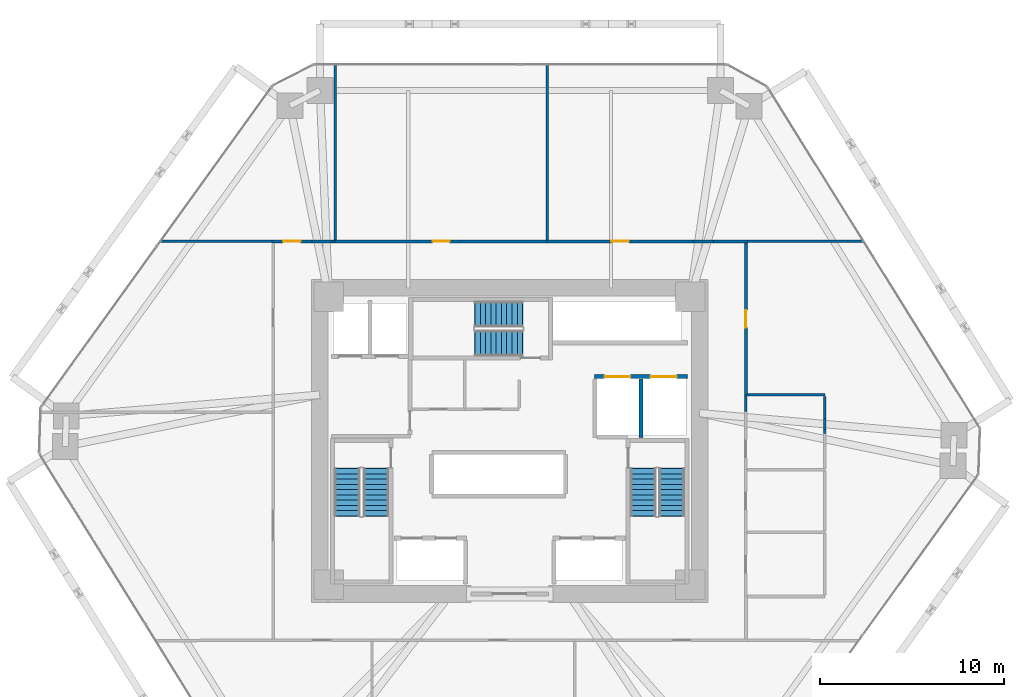
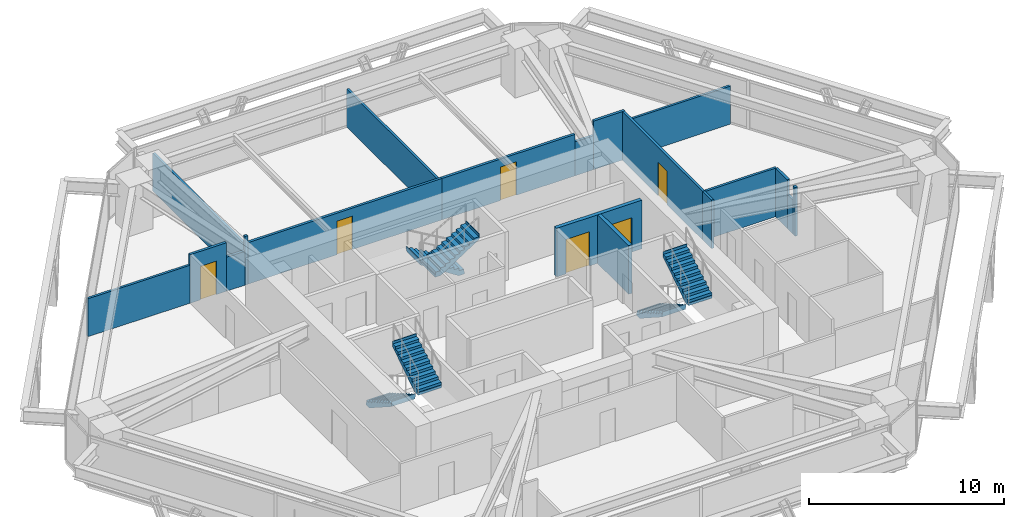
# One storey, part 13 of 14: 19 walls, 6 doors, 6 stair flights, 6 openings, 3 elements without a shape of their own.
"""IFC4 building model written with IfcOpenShell, lengths in metres."""

import ifcopenshell
import ifcopenshell.guid

model = None  # the IFC model being written
_history = None  # IfcOwnerHistory: only IFC2X3 demands one
_inside = {}  # id of a spatial element -> (the spatial element, [elements in it])
_under = {}  # id of a project, library or spatial element -> (it, [spatial elements below it])
_declared = {}  # id of a project -> (the project, [libraries it declares])
_typed = {}  # id of a type object -> (the type object, [elements of that type])
_made_of = {}  # id of a material, layer set ... -> (it, [elements and type objects made of it])


def new_model(schema):
    """Start an empty IFC model of exactly this schema.

    Asked for "IFC4X3", IfcOpenShell would pick the latest addendum, in which some entities
    have other attributes; the version numbers below select the first issue.
    IFC2X3 requires an IfcOwnerHistory on every rooted entity: one is made here for all.
    """
    global model, _history
    if schema == "IFC4X3":
        model = ifcopenshell.file(schema_version=(4, 3, 0, 0))
    else:
        model = ifcopenshell.file(schema=schema)
    _inside.clear()
    _under.clear()
    _declared.clear()
    _typed.clear()
    _made_of.clear()
    _history = None
    if model.schema == "IFC2X3":
        org = make("IfcOrganization", Name="unknown")
        user = make(
            "IfcPersonAndOrganization",
            ThePerson=make("IfcPerson", FamilyName="unknown"),
            TheOrganization=org,
        )
        app = make(
            "IfcApplication",
            ApplicationDeveloper=org,
            Version="unknown",
            ApplicationFullName="unknown",
            ApplicationIdentifier="unknown",
        )
        _history = make(
            "IfcOwnerHistory",
            OwningUser=user,
            OwningApplication=app,
            ChangeAction="ADDED",
            CreationDate=0,
        )
    return model


def make(cls, **values):
    """One entity of the class cls with the attributes given. An attribute that is None is left unset."""
    return model.create_entity(
        cls, **{name: value for name, value in values.items() if value is not None}
    )


def rooted(cls, **values):
    """An entity with a GlobalId (a new one), such as an element, a storey or a relation."""
    return make(cls, GlobalId=ifcopenshell.guid.new(), OwnerHistory=_history, **values)


def si_unit(unit_type, name, prefix=None):
    """IfcSIUnit, for example si_unit("LENGTHUNIT", "METRE", prefix="MILLI")."""
    return make("IfcSIUnit", UnitType=unit_type, Prefix=prefix, Name=name)


def assignment(units):
    """IfcUnitAssignment: the units of a project."""
    return None if units is None else make("IfcUnitAssignment", Units=units)


def point(xyz):
    """IfcCartesianPoint."""
    return None if xyz is None else make("IfcCartesianPoint", Coordinates=xyz)


def direction(xyz):
    """IfcDirection."""
    return None if xyz is None else make("IfcDirection", DirectionRatios=xyz)


def frame(location, z_axis=None, x_axis=None):
    """IfcAxis2Placement3D, a coordinate frame: its origin and axes. An axis left out is left unset."""
    return make(
        "IfcAxis2Placement3D",
        Location=point(location),
        Axis=direction(z_axis),
        RefDirection=direction(x_axis),
    )


def frame_2d(location, x_axis=None):
    """IfcAxis2Placement2D, a coordinate frame in the plane: its origin and x axis."""
    return make(
        "IfcAxis2Placement2D", Location=point(location), RefDirection=direction(x_axis)
    )


def origin():
    """The frame at (0, 0, 0) with its axes left unset."""
    return frame((0.0, 0.0, 0.0))


def place(relative_to, where):
    """IfcLocalPlacement: puts the frame where relative to a parent placement (None: the world)."""
    return make(
        "IfcLocalPlacement", PlacementRelTo=relative_to, RelativePlacement=where
    )


def context(
    kind, dimensions, precision=None, world=None, true_north=None, identifier=None
):
    """IfcGeometricRepresentationContext, for example the 3D "Model" context."""
    return make(
        "IfcGeometricRepresentationContext",
        ContextIdentifier=identifier,
        ContextType=kind,
        CoordinateSpaceDimension=dimensions,
        Precision=precision,
        WorldCoordinateSystem=world,
        TrueNorth=true_north,
    )


def subcontext(parent, identifier, kind, view, scale=None):
    """IfcGeometricRepresentationSubContext, for example "Body" below "Model"."""
    return make(
        "IfcGeometricRepresentationSubContext",
        ContextIdentifier=identifier,
        ContextType=kind,
        ParentContext=parent,
        TargetScale=scale,
        TargetView=view,
    )


def project(units=None, contexts=None):
    """IfcProject with its units and contexts."""
    return rooted(
        "IfcProject",
        Name="project",
        RepresentationContexts=contexts,
        UnitsInContext=assignment(units),
    )


def spatial(cls, under=None, at=None, **own):
    """A site, building, storey or space (cls), placed at a placement, below another one or the project."""
    s = rooted(cls, ObjectPlacement=at, **own)
    if under is not None:
        _under.setdefault(under.id(), (under, []))[1].append(s)
    return s


def polyline(points):
    """IfcPolyline through the points."""
    return make("IfcPolyline", Points=[point(p) for p in points])


def profile(cls, at=None, kind="AREA", **sizes):
    """A parametric profile (cls). Its sizes go by their IFC names, for example OverallWidth=200.0."""
    return make(cls, ProfileType=kind, Position=at, **sizes)


def rectangle(**sizes):
    """IfcRectangleProfileDef."""
    return profile("IfcRectangleProfileDef", **sizes)


def outline(outer, holes=None, kind="AREA"):
    """IfcArbitraryClosedProfileDef: a profile drawn as a closed curve; with holes, ...WithVoids."""
    if holes is None:
        return make("IfcArbitraryClosedProfileDef", ProfileType=kind, OuterCurve=outer)
    return make(
        "IfcArbitraryProfileDefWithVoids",
        ProfileType=kind,
        OuterCurve=outer,
        InnerCurves=holes,
    )


def extrude(swept, where, along, depth):
    """IfcExtrudedAreaSolid: the profile swept, set in the frame where, extruded along a direction by depth."""
    return make(
        "IfcExtrudedAreaSolid",
        SweptArea=swept,
        Position=where,
        ExtrudedDirection=direction(along),
        Depth=depth,
    )


def shape(context_of_items, identifier, shape_type, items):
    """IfcShapeRepresentation: the items that make up one representation, for example the "Body"."""
    return make(
        "IfcShapeRepresentation",
        ContextOfItems=context_of_items,
        RepresentationIdentifier=identifier,
        RepresentationType=shape_type,
        Items=items,
    )


def source(mapping_origin, context_of_items, identifier, shape_type, items):
    """IfcRepresentationMap: a shape defined once, which mapped items show again and again."""
    return make(
        "IfcRepresentationMap",
        MappingOrigin=mapping_origin,
        MappedRepresentation=shape(context_of_items, identifier, shape_type, items),
    )


def transform(
    local_origin,
    x_axis=None,
    y_axis=None,
    z_axis=None,
    scale=None,
    scale2=None,
    scale3=None,
    uniform=True,
):
    """IfcCartesianTransformationOperator3D, or its non-uniform kind. x_axis, y_axis, z_axis: its Axis1, 2, 3."""
    if uniform:
        return make(
            "IfcCartesianTransformationOperator3D",
            Axis1=direction(x_axis),
            Axis2=direction(y_axis),
            LocalOrigin=point(local_origin),
            Scale=scale,
            Axis3=direction(z_axis),
        )
    return make(
        "IfcCartesianTransformationOperator3DnonUniform",
        Axis1=direction(x_axis),
        Axis2=direction(y_axis),
        LocalOrigin=point(local_origin),
        Scale=scale,
        Axis3=direction(z_axis),
        Scale2=scale2,
        Scale3=scale3,
    )


def mapped(mapping_source, mapping_target):
    """IfcMappedItem: shows the shape of a source again, moved by a transform."""
    return make(
        "IfcMappedItem", MappingSource=mapping_source, MappingTarget=mapping_target
    )


def material(Name=None, Category=None):
    """IfcMaterial."""
    return make("IfcMaterial", Name=Name, Category=Category)


def layer(
    of_material, thickness, ventilated=None, Name=None, Category=None, Priority=None
):
    """IfcMaterialLayer: one layer of a wall or slab, of a material (None: an air gap)."""
    return make(
        "IfcMaterialLayer",
        Material=of_material,
        LayerThickness=thickness,
        IsVentilated=ventilated,
        Name=Name,
        Category=Category,
        Priority=Priority,
    )


def layer_set(layers, Name=None):
    """IfcMaterialLayerSet."""
    return make("IfcMaterialLayerSet", MaterialLayers=layers, LayerSetName=Name)


def made_of(thing, what):
    """Note that an element or type object is made of a material, layer set ...; save() writes the relation."""
    if what is not None:
        _made_of.setdefault(what.id(), (what, []))[1].append(thing)
    return thing


def type_object(cls, material=None, **own):
    """A type object (cls), such as IfcWallType, which elements share."""
    return made_of(rooted(cls, **own), material)


def type_shapes(of_type, sources):
    """Give a type object the sources (RepresentationMaps) that its elements show as mapped items."""
    of_type.RepresentationMaps = sources


def element(
    cls,
    number,
    at=None,
    inside=None,
    cuts=None,
    type_object=None,
    material=None,
    context=None,
    identifier="Body",
    shape_type=None,
    held_by="IfcProductDefinitionShape",
    body=None,
    shapes=None,
    **own,
):
    """One element of the class cls, such as IfcWall. Its Tag is "e" and its number.

    at: its placement. inside: the storey or other place that contains it. cuts: it is an
    opening in that element (IfcRelVoidsElement). A single representation is given by context,
    identifier, shape_type and body (its items); several are given by shapes. held_by: the class
    of the entity that holds the representations. save() writes the other relations.
    """
    e = rooted(cls, Tag="e%d" % number, ObjectPlacement=at, **own)
    if body is not None:
        shapes = [shape(context, identifier, shape_type, body)]
    if shapes is not None:
        e.Representation = make(held_by, Representations=shapes)
    if inside is not None:
        _inside.setdefault(inside.id(), (inside, []))[1].append(e)
    if cuts is not None:
        rooted(
            "IfcRelVoidsElement", RelatingBuildingElement=cuts, RelatedOpeningElement=e
        )
    if type_object is not None:
        _typed.setdefault(type_object.id(), (type_object, []))[1].append(e)
    return made_of(e, material)


def fill(opening, filler):
    """IfcRelFillsElement: the door or window that sits in an opening."""
    return rooted(
        "IfcRelFillsElement",
        RelatingOpeningElement=opening,
        RelatedBuildingElement=filler,
    )


def aggregate(whole, parts):
    """IfcRelAggregates: a whole, such as a stair, and the parts it consists of."""
    return rooted("IfcRelAggregates", RelatingObject=whole, RelatedObjects=parts)


def save(model, path):
    """Write the relations noted so far, then the file.

    IfcRelAggregates (storeys below a building ...), IfcRelContainedInSpatialStructure (elements
    in a storey), IfcRelDefinesByType, IfcRelAssociatesMaterial and IfcRelDeclares: one each for
    every whole, place, type object, material and project.
    """
    for whole, parts in _under.values():
        aggregate(whole, parts)
    for where, things in _inside.values():
        rooted(
            "IfcRelContainedInSpatialStructure",
            RelatedElements=things,
            RelatingStructure=where,
        )
    for kind, things in _typed.values():
        rooted("IfcRelDefinesByType", RelatedObjects=things, RelatingType=kind)
    for what, things in _made_of.values():
        rooted("IfcRelAssociatesMaterial", RelatedObjects=things, RelatingMaterial=what)
    for by, libraries in _declared.values():
        rooted("IfcRelDeclares", RelatingContext=by, RelatedDefinitions=libraries)
    model.write(path)


model = new_model("IFC4")

# Units and contexts
model_context = context("Model", 3, precision=1e-05, world=origin(), true_north=direction((0.0, 1.0)))
body_context = subcontext(model_context, "Body", "Model", "MODEL_VIEW")
ifc_project = project(units=[si_unit("LENGTHUNIT", "METRE"), si_unit("AREAUNIT", "SQUARE_METRE"), si_unit("VOLUMEUNIT", "CUBIC_METRE"), si_unit("PLANEANGLEUNIT", "RADIAN"), si_unit("MASSUNIT", "GRAM", prefix="KILO")], contexts=[model_context])

# Site, building, storey
site_placement = place(None, origin())
site = spatial("IfcSite", under=ifc_project, at=site_placement, CompositionType="ELEMENT")
building_placement = place(site_placement, origin())
building = spatial("IfcBuilding", under=site, at=building_placement, Name="Durnholm Broadcast Tower", CompositionType="ELEMENT")
storey_placement = place(building_placement, frame((0.0, 0.0, 48.89990234375)))
storey = spatial("IfcBuildingStorey", under=building, at=storey_placement, Name="L11", CompositionType="ELEMENT", Elevation=48.89990234375)

# Walls
ifc_material_1 = material(Name="Gypsum Metal Stud Partition", Category="concrete")
ifc_layer_1 = layer(ifc_material_1, 0.135009765625)
ifc_layer_set_1 = layer_set([ifc_layer_1], Name="Gypsum Metal Stud Partition")
wall_type_1 = type_object("IfcWallType", Name="WALL-PART-135", PredefinedType="PARTITIONING", material=ifc_layer_set_1)
wall_1_placement = place(storey_placement, frame((-9.4599609375, 20.39990234375, 0.0), z_axis=(0.0, 0.0, 1.0), x_axis=(0.0, -1.0, 0.0)))
element("IfcWall", 1, at=wall_1_placement, inside=storey, type_object=wall_type_1, Name="L11 room dividing partition 6.7", PredefinedType="PARTITIONING", context=body_context, shape_type="SweptSolid", body=[
    extrude(rectangle(XDim=9.510986328125, YDim=0.135009765625, at=frame_2d((4.75537109375, 0.0))), origin(), (0.0, 0.0, 1.0), 2.380126953125),
])
wall_2_placement = place(storey_placement, frame((-12.889892578125, 10.810302734375, 0.0), z_axis=(0.0, 0.0, 1.0), x_axis=(-0.999992607823, 0.003845035728, 0.0)))
element("IfcWall", 2, at=wall_2_placement, inside=storey, type_object=wall_type_1, Name="L11 room dividing partition 6.15", PredefinedType="PARTITIONING", context=body_context, shape_type="SweptSolid", body=[
    extrude(rectangle(XDim=6.031982421875, YDim=0.135009765625, at=frame_2d((3.01611328125, 0.0))), origin(), (0.0, 0.0, 1.0), 2.380126953125),
])
wall_3_placement = place(storey_placement, frame((2.0400390625, 20.39990234375, 0.0), z_axis=(0.0, 0.0, 1.0), x_axis=(0.0, -1.0, 0.0)))
element("IfcWall", 3, at=wall_3_placement, inside=storey, type_object=wall_type_1, Name="L11 room dividing partition 7.8", PredefinedType="PARTITIONING", context=body_context, shape_type="SweptSolid", body=[
    extrude(rectangle(XDim=9.510986328125, YDim=0.135009765625, at=frame_2d((4.75537109375, 0.0))), origin(), (0.0, 0.0, 1.0), 2.380126953125),
])
wall_4_placement = place(storey_placement, frame((19.18212890625, 10.831298828125, 0.0), z_axis=(0.0, 0.0, 1.0), x_axis=(-0.999994432845, -0.003336806783, 0.0)))
element("IfcWall", 4, at=wall_4_placement, inside=storey, type_object=wall_type_1, Name="L11 room dividing partition 8.16", PredefinedType="PARTITIONING", context=body_context, shape_type="SweptSolid", body=[
    extrude(rectangle(XDim=6.292236328125, YDim=0.135009765625, at=frame_2d((3.14599609375, 0.0))), origin(), (0.0, 0.0, 1.0), 2.380126953125),
])
ifc_material_2 = material(Name="Acoustic Gypsum Stud Partition", Category="concrete")
ifc_layer_2 = layer(ifc_material_2, 0.14990234375)
ifc_layer_set_2 = layer_set([ifc_layer_2], Name="Acoustic Gypsum Stud Partition")
wall_type_2 = type_object("IfcWallType", Name="WALL-PART-150", PredefinedType="PARTITIONING", material=ifc_layer_set_2)
wall_5_placement = place(storey_placement, frame((-9.4599609375, 10.81005859375, 0.0), z_axis=(0.0, 0.0, 1.0), x_axis=(-1.0, 0.0, 0.0)))
element("IfcWall", 5, at=wall_5_placement, inside=storey, type_object=wall_type_2, Name="L11 Open Plan Broadcast Workspace 2 corridor partition", PredefinedType="PARTITIONING", context=body_context, shape_type="SweptSolid", body=[
    extrude(rectangle(XDim=0.16748046875, YDim=0.14990234375, at=frame_2d((0.083740234375, 0.0))), origin(), (0.0, 0.0, 1.0), 3.045166015625),
])

# Wall, opening, door
wall_6_placement = place(storey_placement, frame((-10.719970703125, 10.81005859375, 0.0), z_axis=(0.0, 0.0, 1.0), x_axis=(-1.0, 0.0, 0.0)))
wall_6 = element("IfcWall", 6, at=wall_6_placement, inside=storey, type_object=wall_type_2, Name="L11 Open Plan Broadcast Workspace 2 corridor partition", PredefinedType="PARTITIONING", context=body_context, shape_type="SweptSolid", body=[
    extrude(rectangle(XDim=2.169921875, YDim=0.14990234375, at=frame_2d((1.0849609375, 0.0))), origin(), (0.0, 0.0, 1.0), 3.045166015625),
])
opening_1_placement = place(wall_6_placement, frame((0.610107421875, 0.0, 0.0)))
opening_1 = element("IfcOpeningElement", 7, at=opening_1_placement, cuts=wall_6, Name="Opening DR-95L", PredefinedType="OPENING", context=body_context, shape_type="SweptSolid", body=[
    extrude(rectangle(XDim=0.949951171875, YDim=2.10009765625, at=frame_2d((0.47509765625, 1.050048828125))), frame((0.0, 0.0849609375, 0.0), z_axis=(0.0, -1.0, 0.0), x_axis=(1.0, 0.0, 0.0)), (0.0, 0.0, 1.0), 0.169921875),
])
ifc_material_3 = material(Name="Acoustic Oak Veneer Timber Door", Category="wood")
ifc_layer_3 = layer(ifc_material_3, 0.050048828125)
ifc_layer_set_3 = layer_set([ifc_layer_3], Name="Acoustic Oak Veneer Timber Door")
door_type_1 = type_object("IfcDoorType", Name="DOOR-RM-950L", OperationType="NOTDEFINED", PredefinedType="DOOR", material=ifc_layer_set_3)
shared_shape_1 = source(origin(), body_context, "Body", "SweptSolid", [
    extrude(rectangle(XDim=0.949951171875, YDim=2.10009765625, at=frame_2d((0.47509765625, 1.050048828125))), frame((0.0, 0.02490234375, 0.0), z_axis=(0.0, -1.0, 0.0), x_axis=(1.0, 0.0, 0.0)), (0.0, 0.0, 1.0), 0.050048828125),
])
type_shapes(door_type_1, [shared_shape_1])
door_1_placement = place(opening_1_placement, origin())
door_1 = element("IfcDoor", 8, at=door_1_placement, inside=storey, type_object=door_type_1, Name="L11 Open Plan Broadcast Workspace 2 entrance door", OperationType="SINGLE_SWING_LEFT", OverallHeight=2.10009765625, OverallWidth=0.949951171875, PredefinedType="DOOR", context=body_context, shape_type="MappedRepresentation", body=[
    mapped(shared_shape_1, transform((0.0, 0.0, 0.0), x_axis=(1.0, 0.0, 0.0), y_axis=(0.0, 1.0, 0.0), z_axis=(0.0, 0.0, 1.0), scale=1.0)),
])
fill(opening_1, door_1)

# Wall
wall_7_placement = place(storey_placement, frame((-9.62744140625, 10.81005859375, 0.0), z_axis=(0.0, 0.0, 1.0), x_axis=(-1.0, 0.0, 0.0)))
element("IfcWall", 9, at=wall_7_placement, inside=storey, type_object=wall_type_2, Name="L11 Open Plan Broadcast Workspace 2 corridor partition", PredefinedType="PARTITIONING", context=body_context, shape_type="SweptSolid", body=[
    extrude(rectangle(XDim=1.092529296875, YDim=0.14990234375, at=frame_2d((0.54638671875, 0.0))), origin(), (0.0, 0.0, 1.0), 2.130126953125),
])

# Wall, opening, door
wall_8_placement = place(storey_placement, frame((2.0400390625, 10.81005859375, 0.0), z_axis=(0.0, 0.0, 1.0), x_axis=(-1.0, 0.0, 0.0)))
wall_8 = element("IfcWall", 10, at=wall_8_placement, inside=storey, type_object=wall_type_2, Name="L11 Replay Meeting Room corridor partition", PredefinedType="PARTITIONING", context=body_context, shape_type="SweptSolid", body=[
    extrude(rectangle(XDim=11.5, YDim=0.14990234375, at=frame_2d((5.75, 0.0))), origin(), (0.0, 0.0, 1.0), 2.597900390625),
])
opening_2_placement = place(wall_8_placement, frame((5.2900390625, 0.0, 0.0)))
opening_2 = element("IfcOpeningElement", 11, at=opening_2_placement, cuts=wall_8, Name="Opening DR-92R", PredefinedType="OPENING", context=body_context, shape_type="SweptSolid", body=[
    extrude(rectangle(XDim=0.919921875, YDim=2.10009765625, at=frame_2d((0.4599609375, 1.050048828125))), frame((0.0, 0.0849609375, 0.0), z_axis=(0.0, -1.0, 0.0), x_axis=(1.0, 0.0, 0.0)), (0.0, 0.0, 1.0), 0.169921875),
])
ifc_material_4 = material(Name="Oak Veneer Office Door", Category="wood")
ifc_layer_4 = layer(ifc_material_4, 0.050048828125)
ifc_layer_set_4 = layer_set([ifc_layer_4], Name="Oak Veneer Office Door")
door_type_2 = type_object("IfcDoorType", Name="DOOR-RM-920R", OperationType="NOTDEFINED", PredefinedType="DOOR", material=ifc_layer_set_4)
shared_shape_2 = source(origin(), body_context, "Body", "SweptSolid", [
    extrude(rectangle(XDim=0.919921875, YDim=2.10009765625, at=frame_2d((0.4599609375, 1.050048828125))), frame((0.0, 0.02490234375, 0.0), z_axis=(0.0, -1.0, 0.0), x_axis=(1.0, 0.0, 0.0)), (0.0, 0.0, 1.0), 0.050048828125),
])
type_shapes(door_type_2, [shared_shape_2])
door_2_placement = place(opening_2_placement, origin())
door_2 = element("IfcDoor", 12, at=door_2_placement, inside=storey, type_object=door_type_2, Name="L11 Replay Meeting Room entrance door", OperationType="SINGLE_SWING_RIGHT", OverallHeight=2.10009765625, OverallWidth=0.919921875, PredefinedType="DOOR", context=body_context, shape_type="MappedRepresentation", body=[
    mapped(shared_shape_2, transform((0.0, 0.0, 0.0), x_axis=(1.0, 0.0, 0.0), y_axis=(0.0, 1.0, 0.0), z_axis=(0.0, 0.0, 1.0), scale=1.0)),
])
fill(opening_2, door_2)

# Wall
wall_9_placement = place(storey_placement, frame((12.889892578125, 10.81005859375, 0.0), z_axis=(0.0, 0.0, 1.0), x_axis=(-1.0, 0.0, 0.0)))
element("IfcWall", 13, at=wall_9_placement, inside=storey, type_object=wall_type_2, Name="L11 Open Plan Broadcast Workspace 4 corridor partition", PredefinedType="PARTITIONING", context=body_context, shape_type="SweptSolid", body=[
    extrude(rectangle(XDim=1.847412109375, YDim=0.14990234375, at=frame_2d((0.923828125, 0.0))), origin(), (0.0, 0.0, 1.0), 3.045166015625),
])

# Wall, opening, door
wall_10_placement = place(storey_placement, frame((9.93310546875, 10.81005859375, 0.0), z_axis=(0.0, 0.0, 1.0), x_axis=(-1.0, 0.0, 0.0)))
wall_10 = element("IfcWall", 14, at=wall_10_placement, inside=storey, type_object=wall_type_2, Name="L11 Open Plan Broadcast Workspace 4 corridor partition", PredefinedType="PARTITIONING", context=body_context, shape_type="SweptSolid", body=[
    extrude(rectangle(XDim=7.89306640625, YDim=0.14990234375, at=frame_2d((3.946533203125, 0.0))), origin(), (0.0, 0.0, 1.0), 2.597900390625),
])
opening_3_placement = place(wall_10_placement, frame((3.4716796875, 0.0, 0.0)))
opening_3 = element("IfcOpeningElement", 15, at=opening_3_placement, cuts=wall_10, Name="Opening DR-95L", PredefinedType="OPENING", context=body_context, shape_type="SweptSolid", body=[
    extrude(rectangle(XDim=0.949951171875, YDim=2.10009765625, at=frame_2d((0.47509765625, 1.050048828125))), frame((0.0, 0.0849609375, 0.0), z_axis=(0.0, -1.0, 0.0), x_axis=(1.0, 0.0, 0.0)), (0.0, 0.0, 1.0), 0.169921875),
])
door_3_placement = place(opening_3_placement, origin())
door_3 = element("IfcDoor", 16, at=door_3_placement, inside=storey, type_object=door_type_1, Name="L11 Open Plan Broadcast Workspace 4 entrance door", OperationType="SINGLE_SWING_LEFT", OverallHeight=2.10009765625, OverallWidth=0.949951171875, PredefinedType="DOOR", context=body_context, shape_type="MappedRepresentation", body=[
    mapped(shared_shape_1, transform((0.0, 0.0, 0.0), x_axis=(1.0, 0.0, 0.0), y_axis=(0.0, 1.0, 0.0), z_axis=(0.0, 0.0, 1.0), scale=1.0)),
])
fill(opening_3, door_3)

# Wall
wall_11_placement = place(storey_placement, frame((11.04248046875, 10.81005859375, 0.0), z_axis=(0.0, 0.0, 1.0), x_axis=(-1.0, 0.0, 0.0)))
element("IfcWall", 17, at=wall_11_placement, inside=storey, type_object=wall_type_2, Name="L11 Open Plan Broadcast Workspace 4 corridor partition", PredefinedType="PARTITIONING", context=body_context, shape_type="SweptSolid", body=[
    extrude(rectangle(XDim=1.109375, YDim=0.14990234375, at=frame_2d((0.5546875, 0.0))), origin(), (0.0, 0.0, 1.0), 2.130126953125),
])

# Wall, opening, door
wall_12_placement = place(storey_placement, frame((12.81005859375, 2.489990234375, 0.0), z_axis=(0.0, 0.0, 1.0), x_axis=(0.0, 1.0, 0.0)))
wall_12 = element("IfcWall", 18, at=wall_12_placement, inside=storey, type_object=wall_type_2, Name="L11 Production Meeting Room corridor partition", PredefinedType="PARTITIONING", context=body_context, shape_type="SweptSolid", body=[
    extrude(rectangle(XDim=8.240966796875, YDim=0.14990234375, at=frame_2d((4.12060546875, 0.0))), origin(), (0.0, 0.0, 1.0), 3.045166015625),
])
opening_4_placement = place(wall_12_placement, frame((3.6455078125, 0.0, 0.0)))
opening_4 = element("IfcOpeningElement", 19, at=opening_4_placement, cuts=wall_12, Name="Opening DR-95R", PredefinedType="OPENING", context=body_context, shape_type="SweptSolid", body=[
    extrude(rectangle(XDim=0.949951171875, YDim=2.10009765625, at=frame_2d((0.47509765625, 1.050048828125))), frame((0.0, 0.0849609375, 0.0), z_axis=(0.0, -1.0, 0.0), x_axis=(1.0, 0.0, 0.0)), (0.0, 0.0, 1.0), 0.169921875),
])
ifc_layer_5 = layer(ifc_material_3, 0.050048828125)
ifc_layer_set_5 = layer_set([ifc_layer_5], Name="Acoustic Oak Veneer Timber Door")
door_type_3 = type_object("IfcDoorType", Name="DOOR-RM-950R", OperationType="NOTDEFINED", PredefinedType="DOOR", material=ifc_layer_set_5)
shared_shape_3 = source(origin(), body_context, "Body", "SweptSolid", [
    extrude(rectangle(XDim=0.949951171875, YDim=2.10009765625, at=frame_2d((0.47509765625, 1.050048828125))), frame((0.0, 0.02490234375, 0.0), z_axis=(0.0, -1.0, 0.0), x_axis=(1.0, 0.0, 0.0)), (0.0, 0.0, 1.0), 0.050048828125),
])
type_shapes(door_type_3, [shared_shape_3])
door_4_placement = place(opening_4_placement, origin())
door_4 = element("IfcDoor", 20, at=door_4_placement, inside=storey, type_object=door_type_3, Name="L11 Production Meeting Room entrance door", OperationType="SINGLE_SWING_RIGHT", OverallHeight=2.10009765625, OverallWidth=0.949951171875, PredefinedType="DOOR", context=body_context, shape_type="MappedRepresentation", body=[
    mapped(shared_shape_3, transform((0.0, 0.0, 0.0), x_axis=(1.0, 0.0, 0.0), y_axis=(0.0, 1.0, 0.0), z_axis=(0.0, 0.0, 1.0), scale=1.0)),
])
fill(opening_4, door_4)

# Wall, openings, doors
ifc_material_5 = material(Name="Concrete Blockwork C30/37", Category="masonry")
ifc_layer_6 = layer(ifc_material_5, 0.219970703125)
ifc_layer_set_6 = layer_set([ifc_layer_6], Name="Concrete Blockwork C30/37")
wall_type_3 = type_object("IfcWallType", Name="WALL-SHAFT-220", PredefinedType="SOLIDWALL", material=ifc_layer_set_6)
wall_13_placement = place(storey_placement, frame((4.60009765625, 3.47998046875, 0.0), z_axis=(0.0, 0.0, 1.0), x_axis=(1.0, 0.0, 0.0)))
wall_13 = element("IfcWall", 21, at=wall_13_placement, inside=storey, type_object=wall_type_3, Name="L11 freight service lifts north front wall", PredefinedType="SOLIDWALL", context=body_context, shape_type="SweptSolid", body=[
    extrude(rectangle(XDim=5.0498046875, YDim=0.219970703125, at=frame_2d((2.52490234375, 0.0))), origin(), (0.0, 0.0, 1.0), 3.045166015625),
])
opening_5_placement = place(wall_13_placement, frame((0.550048828125, 0.0, 0.0)))
opening_5 = element("IfcOpeningElement", 22, at=opening_5_placement, cuts=wall_13, Name="Opening LD-SVL-2", PredefinedType="OPENING", context=body_context, shape_type="SweptSolid", body=[
    extrude(rectangle(XDim=1.39990234375, YDim=2.14990234375, at=frame_2d((0.699951171875, 1.074951171875))), frame((0.0, 0.1201171875, 0.0), z_axis=(0.0, -1.0, 0.0), x_axis=(1.0, 0.0, 0.0)), (0.0, 0.0, 1.0), 0.239990234375),
])
opening_6_placement = place(wall_13_placement, frame((3.050048828125, 0.0, 0.0)))
opening_6 = element("IfcOpeningElement", 23, at=opening_6_placement, cuts=wall_13, Name="Opening LD-SVL-1", PredefinedType="OPENING", context=body_context, shape_type="SweptSolid", body=[
    extrude(rectangle(XDim=1.39990234375, YDim=2.14990234375, at=frame_2d((0.699951171875, 1.074951171875))), frame((0.0, 0.1201171875, 0.0), z_axis=(0.0, -1.0, 0.0), x_axis=(1.0, 0.0, 0.0)), (0.0, 0.0, 1.0), 0.239990234375),
])
ifc_material_6 = material(Name="Freight Elevator Bi-Parting Sliding Landing Door", Category="steel")
ifc_layer_7 = layer(ifc_material_6, 0.050048828125)
ifc_layer_set_7 = layer_set([ifc_layer_7], Name="Freight Elevator Bi-Parting Sliding Landing Door")
door_type_4 = type_object("IfcDoorType", Name="DOOR-LIFT-SVL", OperationType="DOUBLE_DOOR_SLIDING", PredefinedType="DOOR", material=ifc_layer_set_7)
shared_shape_4 = source(origin(), body_context, "Body", "SweptSolid", [
    extrude(rectangle(XDim=1.39990234375, YDim=2.14990234375, at=frame_2d((0.699951171875, 1.074951171875))), frame((0.0, 0.02490234375, 0.0), z_axis=(0.0, -1.0, 0.0), x_axis=(1.0, 0.0, 0.0)), (0.0, 0.0, 1.0), 0.050048828125),
])
type_shapes(door_type_4, [shared_shape_4])
door_5_placement = place(opening_5_placement, origin())
door_5 = element("IfcDoor", 24, at=door_5_placement, inside=storey, type_object=door_type_4, Name="L11 freight service elevator SVL-2 sliding landing door", OperationType="DOUBLE_DOOR_SLIDING", OverallHeight=2.14990234375, OverallWidth=1.39990234375, PredefinedType="DOOR", context=body_context, shape_type="MappedRepresentation", body=[
    mapped(shared_shape_4, transform((0.0, 0.0, 0.0), x_axis=(1.0, 0.0, 0.0), y_axis=(0.0, 1.0, 0.0), z_axis=(0.0, 0.0, 1.0), scale=1.0)),
])
fill(opening_5, door_5)
door_6_placement = place(opening_6_placement, origin())
door_6 = element("IfcDoor", 25, at=door_6_placement, inside=storey, type_object=door_type_4, Name="L11 freight service elevator SVL-1 sliding landing door", OperationType="DOUBLE_DOOR_SLIDING", OverallHeight=2.14990234375, OverallWidth=1.39990234375, PredefinedType="DOOR", context=body_context, shape_type="MappedRepresentation", body=[
    mapped(shared_shape_4, transform((0.0, 0.0, 0.0), x_axis=(1.0, 0.0, 0.0), y_axis=(0.0, 1.0, 0.0), z_axis=(0.0, 0.0, 1.0), scale=1.0)),
])
fill(opening_6, door_6)

# Walls
wall_14_placement = place(storey_placement, frame((7.1201171875, 0.179931640625, 0.0), z_axis=(0.0, 0.0, 1.0), x_axis=(0.0, 1.0, 0.0)))
element("IfcWall", 26, at=wall_14_placement, inside=storey, type_object=wall_type_3, Name="L11 freight service lifts divider wall", PredefinedType="SOLIDWALL", context=body_context, shape_type="SweptSolid", body=[
    extrude(rectangle(XDim=3.18603515625, YDim=0.219970703125, at=frame_2d((1.593017578125, 0.0))), origin(), (0.0, 0.0, 1.0), 3.045166015625),
])
ifc_material_7 = material(Name="Moisture-Resistant Tile Partition", Category="concrete")
ifc_layer_8 = layer(ifc_material_7, 0.139892578125)
ifc_layer_set_8 = layer_set([ifc_layer_8], Name="Moisture-Resistant Tile Partition")
wall_type_4 = type_object("IfcWallType", Name="WALL-WC-140", PredefinedType="PARTITIONING", material=ifc_layer_set_8)
wall_15_placement = place(storey_placement, frame((12.81005859375, 1.584716796875, 0.0), z_axis=(0.0, 0.0, 1.0), x_axis=(0.0, 1.0, 0.0)))
element("IfcWall", 27, at=wall_15_placement, inside=storey, type_object=wall_type_4, Name="L11 Accessible Restroom corridor partition", PredefinedType="PARTITIONING", context=body_context, shape_type="SweptSolid", body=[
    extrude(rectangle(XDim=0.9052734375, YDim=0.139892578125, at=frame_2d((0.45263671875, 0.0))), origin(), (0.0, 0.0, 1.0), 3.045166015625),
])
wall_16_placement = place(storey_placement, frame((12.888916015625, 2.489990234375, 0.0), z_axis=(0.0, 0.0, 1.0), x_axis=(1.0, 0.0, 0.0)))
element("IfcWall", 28, at=wall_16_placement, inside=storey, type_object=wall_type_4, Name="L11 room dividing partition 5.16", PredefinedType="PARTITIONING", context=body_context, shape_type="SweptSolid", body=[
    extrude(rectangle(XDim=4.201171875, YDim=0.139892578125, at=frame_2d((2.1005859375, 0.0))), origin(), (0.0, 0.0, 1.0), 3.045166015625),
])
wall_17_placement = place(storey_placement, frame((17.090087890625, 2.416015625, 0.0), z_axis=(0.0, 0.0, 1.0), x_axis=(0.0, -1.0, 0.0)))
element("IfcWall", 29, at=wall_17_placement, inside=storey, type_object=wall_type_4, Name="L11 room dividing partition 5.16", PredefinedType="PARTITIONING", context=body_context, shape_type="SweptSolid", body=[
    extrude(rectangle(XDim=1.203857421875, YDim=0.139892578125, at=frame_2d((0.60205078125, 0.0))), origin(), (0.0, 0.0, 1.0), 3.045166015625),
])
wall_18_placement = place(storey_placement, frame((17.090087890625, 0.60595703125, 0.0), z_axis=(0.0, 0.0, 1.0), x_axis=(0.0, -1.0, 0.0)))
element("IfcWall", 30, at=wall_18_placement, inside=storey, type_object=wall_type_4, Name="L11 room dividing partition 5.16", PredefinedType="PARTITIONING", context=body_context, shape_type="SweptSolid", body=[
    extrude(rectangle(XDim=0.205078125, YDim=0.139892578125, at=frame_2d((0.1025390625, 0.0))), origin(), (0.0, 0.0, 1.0), 3.045166015625),
])
wall_19_placement = place(storey_placement, frame((17.090087890625, 1.212158203125, 0.0), z_axis=(0.0, 0.0, 1.0), x_axis=(0.0, -1.0, 0.0)))
element("IfcWall", 31, at=wall_19_placement, inside=storey, type_object=wall_type_4, Name="L11 room dividing partition 5.16", PredefinedType="PARTITIONING", context=body_context, shape_type="SweptSolid", body=[
    extrude(rectangle(XDim=0.606201171875, YDim=0.139892578125, at=frame_2d((0.30322265625, 0.0))), origin(), (0.0, 0.0, 1.0), 2.130126953125),
])

# Stair, stair flights
ifc_material_8 = material(Name="Concrete C50/60", Category="concrete")
stair_type = type_object("IfcStairType", Name="STAIR-DL-20R1650", PredefinedType="HALF_TURN_STAIR", material=ifc_material_8)
stair_1_placement = place(storey_placement, origin())
stair_1 = element("IfcStair", 32, at=stair_1_placement, inside=storey, type_object=stair_type, Name="L11 ST-1", PredefinedType="HALF_TURN_STAIR")
stair_flight_type = type_object("IfcStairFlightType", Name="FLIGHT-DL-20R1650", PredefinedType="STRAIGHT", material=ifc_material_8)
stair_flight_1_placement = place(storey_placement, frame((-8.800048828125, -1.5, 0.0), z_axis=(0.0, 0.0, 1.0), x_axis=(0.0, -1.0, 0.0)))
stair_flight_1 = element("IfcStairFlight", 33, at=stair_flight_1_placement, type_object=stair_flight_type, Name="ST-1 flight 1", NumberOfRisers=10, NumberOfTreads=9, PredefinedType="STRAIGHT", RiserHeight=0.165, TreadLength=0.285, context=body_context, shape_type="SweptSolid", body=[
    extrude(outline(polyline([(-0.0400390625, -0.14990234375), (-0.0400390625, 0.0), (0.0, 0.0), (0.0, 0.1650390625), (0.284912109375, 0.1650390625), (0.284912109375, 0.330078125), (0.570068359375, 0.330078125), (0.570068359375, 0.4951171875), (0.85498046875, 0.4951171875), (0.85498046875, 0.659912109375), (1.139892578125, 0.659912109375), (1.139892578125, 0.824951171875), (1.425048828125, 0.824951171875), (1.425048828125, 0.989990234375), (1.7099609375, 0.989990234375), (1.7099609375, 1.155029296875), (1.9951171875, 1.155029296875), (1.9951171875, 1.320068359375), (2.280029296875, 1.320068359375), (2.280029296875, 1.485107421875), (2.56494140625, 1.485107421875), (2.56494140625, 1.64990234375), (2.60498046875, 1.64990234375), (2.60498046875, 1.5), (2.56494140625, 1.311767578125), (0.299072265625, -0.14990234375), (-0.0400390625, -0.14990234375)])), frame((0.0, 0.699951171875, 0.0), z_axis=(0.0, -1.0, 0.0), x_axis=(1.0, 0.0, 0.0)), (0.0, 0.0, 1.0), 1.39990234375),
])
stair_flight_2_placement = place(storey_placement, frame((-7.239990234375, -4.06494140625, 1.650146484375), z_axis=(0.0, 0.0, 1.0), x_axis=(0.0, 1.0, 0.0)))
stair_flight_2 = element("IfcStairFlight", 34, at=stair_flight_2_placement, type_object=stair_flight_type, Name="ST-1 flight 2", NumberOfRisers=10, NumberOfTreads=9, PredefinedType="STRAIGHT", RiserHeight=0.165, TreadLength=0.285, context=body_context, shape_type="SweptSolid", body=[
    extrude(outline(polyline([(-0.0400390625, -0.14990234375), (-0.0400390625, 0.0), (0.0, 0.0), (0.0, 0.1650390625), (0.284912109375, 0.1650390625), (0.284912109375, 0.330078125), (0.570068359375, 0.330078125), (0.570068359375, 0.4951171875), (0.85498046875, 0.4951171875), (0.85498046875, 0.659912109375), (1.139892578125, 0.659912109375), (1.139892578125, 0.824951171875), (1.425048828125, 0.824951171875), (1.425048828125, 0.989990234375), (1.7099609375, 0.989990234375), (1.7099609375, 1.155029296875), (1.9951171875, 1.155029296875), (1.9951171875, 1.320068359375), (2.280029296875, 1.320068359375), (2.280029296875, 1.485107421875), (2.56494140625, 1.485107421875), (2.56494140625, 1.64990234375), (2.60498046875, 1.64990234375), (2.60498046875, 1.5), (2.56494140625, 1.311767578125), (0.299072265625, -0.14990234375), (-0.0400390625, -0.14990234375)])), frame((0.0, 0.699951171875, 0.0), z_axis=(0.0, -1.0, 0.0), x_axis=(1.0, 0.0, 0.0)), (0.0, 0.0, 1.0), 1.39990234375),
])
aggregate(stair_1, [stair_flight_1, stair_flight_2])

stair_2_placement = place(storey_placement, origin())
stair_2 = element("IfcStair", 35, at=stair_2_placement, inside=storey, type_object=stair_type, Name="L11 ST-2", PredefinedType="HALF_TURN_STAIR")
stair_flight_3_placement = place(storey_placement, frame((7.239990234375, -1.5, 0.0), z_axis=(0.0, 0.0, 1.0), x_axis=(0.0, -1.0, 0.0)))
stair_flight_3 = element("IfcStairFlight", 36, at=stair_flight_3_placement, type_object=stair_flight_type, Name="ST-2 flight 1", NumberOfRisers=10, NumberOfTreads=9, PredefinedType="STRAIGHT", RiserHeight=0.165, TreadLength=0.285, context=body_context, shape_type="SweptSolid", body=[
    extrude(outline(polyline([(-0.0400390625, -0.14990234375), (-0.0400390625, 0.0), (0.0, 0.0), (0.0, 0.1650390625), (0.284912109375, 0.1650390625), (0.284912109375, 0.330078125), (0.570068359375, 0.330078125), (0.570068359375, 0.4951171875), (0.85498046875, 0.4951171875), (0.85498046875, 0.659912109375), (1.139892578125, 0.659912109375), (1.139892578125, 0.824951171875), (1.425048828125, 0.824951171875), (1.425048828125, 0.989990234375), (1.7099609375, 0.989990234375), (1.7099609375, 1.155029296875), (1.9951171875, 1.155029296875), (1.9951171875, 1.320068359375), (2.280029296875, 1.320068359375), (2.280029296875, 1.485107421875), (2.56494140625, 1.485107421875), (2.56494140625, 1.64990234375), (2.60498046875, 1.64990234375), (2.60498046875, 1.5), (2.56494140625, 1.311767578125), (0.299072265625, -0.14990234375), (-0.0400390625, -0.14990234375)])), frame((0.0, 0.699951171875, 0.0), z_axis=(0.0, -1.0, 0.0), x_axis=(1.0, 0.0, 0.0)), (0.0, 0.0, 1.0), 1.39990234375),
])
stair_flight_4_placement = place(storey_placement, frame((8.800048828125, -4.06494140625, 1.650146484375), z_axis=(0.0, 0.0, 1.0), x_axis=(0.0, 1.0, 0.0)))
stair_flight_4 = element("IfcStairFlight", 37, at=stair_flight_4_placement, type_object=stair_flight_type, Name="ST-2 flight 2", NumberOfRisers=10, NumberOfTreads=9, PredefinedType="STRAIGHT", RiserHeight=0.165, TreadLength=0.285, context=body_context, shape_type="SweptSolid", body=[
    extrude(outline(polyline([(-0.0400390625, -0.14990234375), (-0.0400390625, 0.0), (0.0, 0.0), (0.0, 0.1650390625), (0.284912109375, 0.1650390625), (0.284912109375, 0.330078125), (0.570068359375, 0.330078125), (0.570068359375, 0.4951171875), (0.85498046875, 0.4951171875), (0.85498046875, 0.659912109375), (1.139892578125, 0.659912109375), (1.139892578125, 0.824951171875), (1.425048828125, 0.824951171875), (1.425048828125, 0.989990234375), (1.7099609375, 0.989990234375), (1.7099609375, 1.155029296875), (1.9951171875, 1.155029296875), (1.9951171875, 1.320068359375), (2.280029296875, 1.320068359375), (2.280029296875, 1.485107421875), (2.56494140625, 1.485107421875), (2.56494140625, 1.64990234375), (2.60498046875, 1.64990234375), (2.60498046875, 1.5), (2.56494140625, 1.311767578125), (0.299072265625, -0.14990234375), (-0.0400390625, -0.14990234375)])), frame((0.0, 0.699951171875, 0.0), z_axis=(0.0, -1.0, 0.0), x_axis=(1.0, 0.0, 0.0)), (0.0, 0.0, 1.0), 1.39990234375),
])
aggregate(stair_2, [stair_flight_3, stair_flight_4])

stair_3_placement = place(storey_placement, origin())
stair_3 = element("IfcStair", 38, at=stair_3_placement, inside=storey, type_object=stair_type, Name="L11 ST-3", PredefinedType="HALF_TURN_STAIR")
stair_flight_5_placement = place(storey_placement, frame((0.699951171875, 6.860107421875, 0.0), z_axis=(0.0, 0.0, 1.0), x_axis=(-1.0, 0.0, 0.0)))
stair_flight_5 = element("IfcStairFlight", 39, at=stair_flight_5_placement, type_object=stair_flight_type, Name="ST-3 flight 1", NumberOfRisers=10, NumberOfTreads=9, PredefinedType="STRAIGHT", RiserHeight=0.165, TreadLength=0.285, context=body_context, shape_type="SweptSolid", body=[
    extrude(outline(polyline([(-0.0400390625, -0.14990234375), (-0.0400390625, 0.0), (0.0, 0.0), (0.0, 0.1650390625), (0.284912109375, 0.1650390625), (0.284912109375, 0.330078125), (0.570068359375, 0.330078125), (0.570068359375, 0.4951171875), (0.85498046875, 0.4951171875), (0.85498046875, 0.659912109375), (1.139892578125, 0.659912109375), (1.139892578125, 0.824951171875), (1.425048828125, 0.824951171875), (1.425048828125, 0.989990234375), (1.7099609375, 0.989990234375), (1.7099609375, 1.155029296875), (1.9951171875, 1.155029296875), (1.9951171875, 1.320068359375), (2.280029296875, 1.320068359375), (2.280029296875, 1.485107421875), (2.56494140625, 1.485107421875), (2.56494140625, 1.64990234375), (2.60498046875, 1.64990234375), (2.60498046875, 1.5), (2.56494140625, 1.311767578125), (0.299072265625, -0.14990234375), (-0.0400390625, -0.14990234375)])), frame((0.0, 0.699951171875, 0.0), z_axis=(0.0, -1.0, 0.0), x_axis=(1.0, 0.0, 0.0)), (0.0, 0.0, 1.0), 1.39990234375),
])
stair_flight_6_placement = place(storey_placement, frame((-1.864990234375, 5.300048828125, 1.650146484375), z_axis=(0.0, 0.0, 1.0), x_axis=(1.0, 0.0, 0.0)))
stair_flight_6 = element("IfcStairFlight", 40, at=stair_flight_6_placement, type_object=stair_flight_type, Name="ST-3 flight 2", NumberOfRisers=10, NumberOfTreads=9, PredefinedType="STRAIGHT", RiserHeight=0.165, TreadLength=0.285, context=body_context, shape_type="SweptSolid", body=[
    extrude(outline(polyline([(-0.0400390625, -0.14990234375), (-0.0400390625, 0.0), (0.0, 0.0), (0.0, 0.1650390625), (0.284912109375, 0.1650390625), (0.284912109375, 0.330078125), (0.570068359375, 0.330078125), (0.570068359375, 0.4951171875), (0.85498046875, 0.4951171875), (0.85498046875, 0.659912109375), (1.139892578125, 0.659912109375), (1.139892578125, 0.824951171875), (1.425048828125, 0.824951171875), (1.425048828125, 0.989990234375), (1.7099609375, 0.989990234375), (1.7099609375, 1.155029296875), (1.9951171875, 1.155029296875), (1.9951171875, 1.320068359375), (2.280029296875, 1.320068359375), (2.280029296875, 1.485107421875), (2.56494140625, 1.485107421875), (2.56494140625, 1.64990234375), (2.60498046875, 1.64990234375), (2.60498046875, 1.5), (2.56494140625, 1.311767578125), (0.299072265625, -0.14990234375), (-0.0400390625, -0.14990234375)])), frame((0.0, 0.699951171875, 0.0), z_axis=(0.0, -1.0, 0.0), x_axis=(1.0, 0.0, 0.0)), (0.0, 0.0, 1.0), 1.39990234375),
])
aggregate(stair_3, [stair_flight_5, stair_flight_6])

save(model, "model.ifc")
